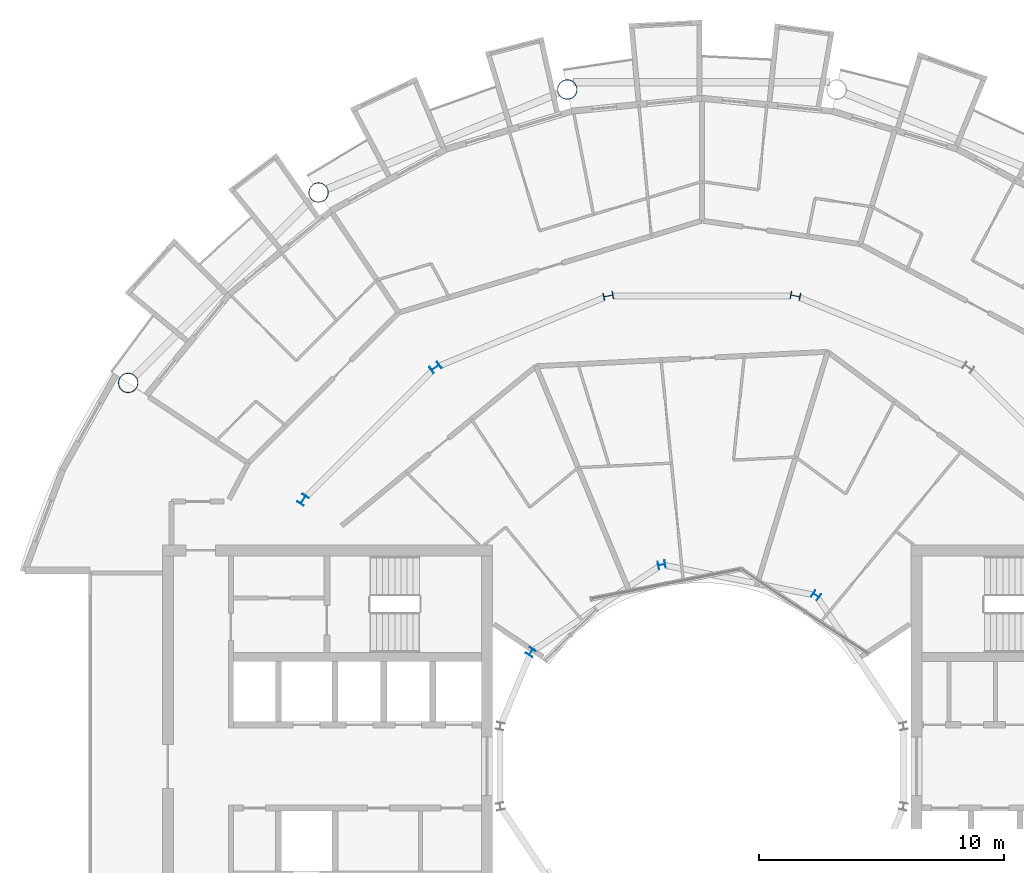
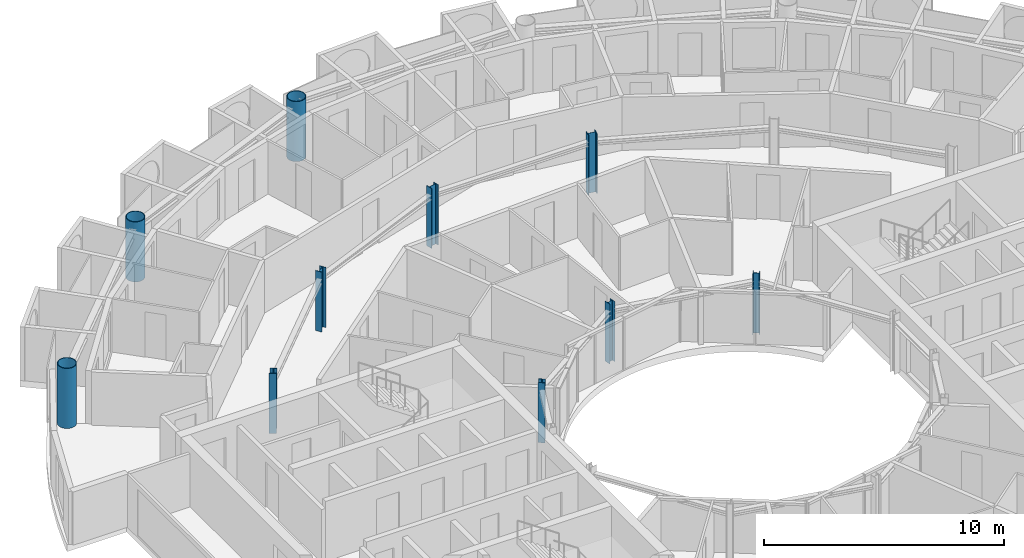
# One storey, part 4 of 29: 10 columns.
"""IFC4 building model written with IfcOpenShell, lengths in metres."""

from ifc_helpers import new_model, si_unit, direction, frame, origin, origin_2d, place, context, subcontext, project, spatial, hollow_circle, i_section, extrude, material, material_profile, profile_set, type_object, element, save


model = new_model("IFC4")

# Units and contexts
model_context = context("Model", 3, precision=1e-05, world=origin(), true_north=direction((0.0, 1.0)))
body_context = subcontext(model_context, "Body", "Model", "MODEL_VIEW")
ifc_project = project(units=[si_unit("LENGTHUNIT", "METRE"), si_unit("AREAUNIT", "SQUARE_METRE"), si_unit("VOLUMEUNIT", "CUBIC_METRE"), si_unit("PLANEANGLEUNIT", "RADIAN"), si_unit("MASSUNIT", "GRAM", prefix="KILO")], contexts=[model_context])

# Site, building, storey
site_placement = place(None, origin())
site = spatial("IfcSite", under=ifc_project, at=site_placement, CompositionType="ELEMENT")
building_placement = place(site_placement, origin())
building = spatial("IfcBuilding", under=site, at=building_placement, Name="Maasbend Ring Residences", CompositionType="ELEMENT")
storey_placement = place(building_placement, frame((0.0, 0.0, 205.449951171875)))
storey = spatial("IfcBuildingStorey", under=building, at=storey_placement, Name="L59", CompositionType="ELEMENT", Elevation=205.449951171875)

# Columns
ifc_material_1 = material(Name="Composite concrete-filled steel tube S460NH / C80/95", Category="concrete")
ifc_material_profile_1 = material_profile(ifc_material_1, hollow_circle(Radius=0.406494140625, WallThickness=0.030029296875, at=origin_2d()), Name="Composite tube column CHS 813x30")
ifc_profile_set_1 = profile_set([ifc_material_profile_1], Name="Composite concrete-filled steel tube S460NH / C80/95")
column_type_1 = type_object("IfcColumnType", Name="Composite tube column CHS 813x30", PredefinedType="COLUMN", material=ifc_profile_set_1)
for number, where, z_axis, x_axis, name in (
    (1, (-5.50146484375, 27.658203125, 0.0), (0.0, 0.0, 1.0), (1.0, 0.0, 0.0), "Outer column R5"),
    (2, (-15.6669921875, 23.447509765625, 0.0), (0.0, 0.0, 1.0), (1.0, 0.0, 0.0), "Outer column R6"),
    (3, (-23.447509765625, 15.6669921875, 0.0), (0.0, 0.0, 1.0), (1.0, 0.0, 0.0), "Outer column R7"),
):
    element("IfcColumn", number, at=place(storey_placement, frame(where, z_axis=z_axis, x_axis=x_axis)), inside=storey, type_object=column_type_1, Name=name, PredefinedType="COLUMN", context=body_context, shape_type="SweptSolid", body=[
        extrude(hollow_circle(Radius=0.406494140625, WallThickness=0.030029296875, at=origin_2d()), origin(), (0.0, 0.0, 1.0), 3.050048828125),
    ])
ifc_material_2 = material(Name="Steel S355J2", Category="steel")
ifc_material_profile_2 = material_profile(ifc_material_2, i_section(OverallWidth=0.300048828125, OverallDepth=0.2900390625, WebThickness=0.008544921875, FlangeThickness=0.013916015625, FilletRadius=0.027099609375, at=origin_2d()), Name="HEA 300")
ifc_profile_set_2 = profile_set([ifc_material_profile_2], Name="Steel S355J2")
column_type_2 = type_object("IfcColumnType", Name="Steel column HEA 300", PredefinedType="COLUMN", material=ifc_profile_set_2)
for number, where, z_axis, x_axis, name in (
    (4, (4.666748046875, 6.984375, 0.0), (0.0, 0.0, 1.0), (0.55557023302, 0.831469612303, 0.0), "Well ring column R3"),
    (5, (-1.638916015625, 8.238525390625, 0.0), (0.0, 0.0, 1.0), (-0.195090322016, 0.980785280403, 0.0), "Well ring column R5"),
    (6, (-6.984375, 4.666748046875, 0.0), (0.0, 0.0, 1.0), (-0.831469612303, 0.55557023302, 0.0), "Well ring column R7"),
):
    element("IfcColumn", number, at=place(storey_placement, frame(where, z_axis=z_axis, x_axis=x_axis)), inside=storey, type_object=column_type_2, Name=name, PredefinedType="COLUMN", context=body_context, shape_type="SweptSolid", body=[
        extrude(i_section(OverallWidth=0.300048828125, OverallDepth=0.2900390625, WebThickness=0.008544921875, FlangeThickness=0.013916015625, FilletRadius=0.027099609375, at=origin_2d()), origin(), (0.0, 0.0, 1.0), 3.050048828125),
    ])
ifc_material_3 = material(Name="Steel S355J2", Category="steel")
ifc_material_profile_3 = material_profile(ifc_material_3, i_section(OverallWidth=0.300048828125, OverallDepth=0.39990234375, WebThickness=0.013427734375, FlangeThickness=0.02392578125, FilletRadius=0.027099609375, at=origin_2d()), Name="HEB 400")
ifc_profile_set_3 = profile_set([ifc_material_profile_3], Name="Steel S355J2")
column_type_3 = type_object("IfcColumnType", Name="Steel column HEB 400", PredefinedType="COLUMN", material=ifc_profile_set_3)
for number, where, z_axis, x_axis, name in (
    (7, (3.82373046875, 19.223388671875, 0.0), (0.0, 0.0, 1.0), (0.195090322016, 0.980785280403, 0.0), "Corridor ring column R4"),
    (8, (-3.82373046875, 19.223388671875, 0.0), (0.0, 0.0, 1.0), (-0.195090322016, 0.980785280403, 0.0), "Corridor ring column R5"),
    (9, (-10.88916015625, 16.296875, 0.0), (0.0, 0.0, 1.0), (-0.55557023302, 0.831469612303, 0.0), "Corridor ring column R6"),
    (10, (-16.296875, 10.88916015625, 0.0), (0.0, 0.0, 1.0), (-0.831469612303, 0.55557023302, 0.0), "Corridor ring column R7"),
):
    element("IfcColumn", number, at=place(storey_placement, frame(where, z_axis=z_axis, x_axis=x_axis)), inside=storey, type_object=column_type_3, Name=name, PredefinedType="COLUMN", context=body_context, shape_type="SweptSolid", body=[
        extrude(i_section(OverallWidth=0.300048828125, OverallDepth=0.39990234375, WebThickness=0.013427734375, FlangeThickness=0.02392578125, FilletRadius=0.027099609375, at=origin_2d()), origin(), (0.0, 0.0, 1.0), 3.050048828125),
    ])

save(model, "model.ifc")
